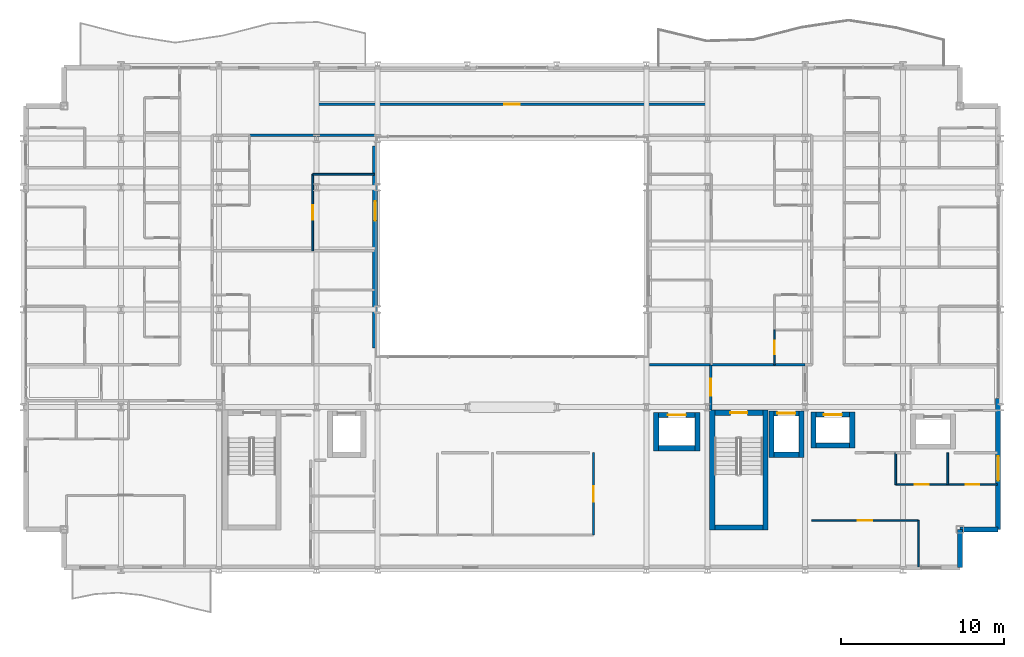
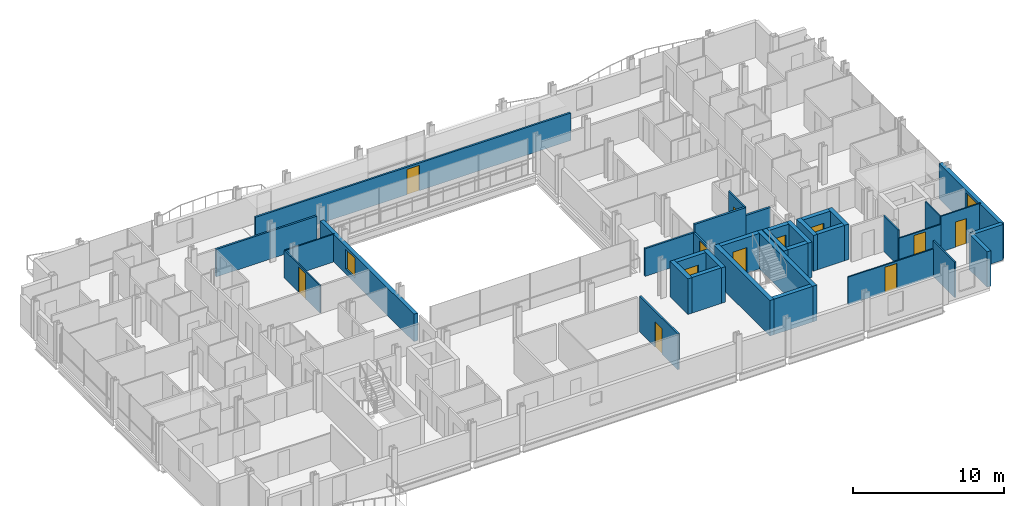
# One storey, part 34 of 40: 36 walls, 12 doors, 2 windows, 14 openings.
"""IFC4 building model written with IfcOpenShell, lengths in metres."""

import ifcopenshell
import ifcopenshell.guid

model = None  # the IFC model being written
_history = None  # IfcOwnerHistory: only IFC2X3 demands one
_inside = {}  # id of a spatial element -> (the spatial element, [elements in it])
_under = {}  # id of a project, library or spatial element -> (it, [spatial elements below it])
_declared = {}  # id of a project -> (the project, [libraries it declares])
_typed = {}  # id of a type object -> (the type object, [elements of that type])
_made_of = {}  # id of a material, layer set ... -> (it, [elements and type objects made of it])


def new_model(schema):
    """Start an empty IFC model of exactly this schema.

    Asked for "IFC4X3", IfcOpenShell would pick the latest addendum, in which some entities
    have other attributes; the version numbers below select the first issue.
    IFC2X3 requires an IfcOwnerHistory on every rooted entity: one is made here for all.
    """
    global model, _history
    if schema == "IFC4X3":
        model = ifcopenshell.file(schema_version=(4, 3, 0, 0))
    else:
        model = ifcopenshell.file(schema=schema)
    _inside.clear()
    _under.clear()
    _declared.clear()
    _typed.clear()
    _made_of.clear()
    _history = None
    if model.schema == "IFC2X3":
        org = make("IfcOrganization", Name="unknown")
        user = make(
            "IfcPersonAndOrganization",
            ThePerson=make("IfcPerson", FamilyName="unknown"),
            TheOrganization=org,
        )
        app = make(
            "IfcApplication",
            ApplicationDeveloper=org,
            Version="unknown",
            ApplicationFullName="unknown",
            ApplicationIdentifier="unknown",
        )
        _history = make(
            "IfcOwnerHistory",
            OwningUser=user,
            OwningApplication=app,
            ChangeAction="ADDED",
            CreationDate=0,
        )
    return model


def make(cls, **values):
    """One entity of the class cls with the attributes given. An attribute that is None is left unset."""
    return model.create_entity(
        cls, **{name: value for name, value in values.items() if value is not None}
    )


def rooted(cls, **values):
    """An entity with a GlobalId (a new one), such as an element, a storey or a relation."""
    return make(cls, GlobalId=ifcopenshell.guid.new(), OwnerHistory=_history, **values)


def si_unit(unit_type, name, prefix=None):
    """IfcSIUnit, for example si_unit("LENGTHUNIT", "METRE", prefix="MILLI")."""
    return make("IfcSIUnit", UnitType=unit_type, Prefix=prefix, Name=name)


def assignment(units):
    """IfcUnitAssignment: the units of a project."""
    return None if units is None else make("IfcUnitAssignment", Units=units)


def point(xyz):
    """IfcCartesianPoint."""
    return None if xyz is None else make("IfcCartesianPoint", Coordinates=xyz)


def direction(xyz):
    """IfcDirection."""
    return None if xyz is None else make("IfcDirection", DirectionRatios=xyz)


def frame(location, z_axis=None, x_axis=None):
    """IfcAxis2Placement3D, a coordinate frame: its origin and axes. An axis left out is left unset."""
    return make(
        "IfcAxis2Placement3D",
        Location=point(location),
        Axis=direction(z_axis),
        RefDirection=direction(x_axis),
    )


def frame_2d(location, x_axis=None):
    """IfcAxis2Placement2D, a coordinate frame in the plane: its origin and x axis."""
    return make(
        "IfcAxis2Placement2D", Location=point(location), RefDirection=direction(x_axis)
    )


def origin():
    """The frame at (0, 0, 0) with its axes left unset."""
    return frame((0.0, 0.0, 0.0))


def place(relative_to, where):
    """IfcLocalPlacement: puts the frame where relative to a parent placement (None: the world)."""
    return make(
        "IfcLocalPlacement", PlacementRelTo=relative_to, RelativePlacement=where
    )


def context(
    kind, dimensions, precision=None, world=None, true_north=None, identifier=None
):
    """IfcGeometricRepresentationContext, for example the 3D "Model" context."""
    return make(
        "IfcGeometricRepresentationContext",
        ContextIdentifier=identifier,
        ContextType=kind,
        CoordinateSpaceDimension=dimensions,
        Precision=precision,
        WorldCoordinateSystem=world,
        TrueNorth=true_north,
    )


def subcontext(parent, identifier, kind, view, scale=None):
    """IfcGeometricRepresentationSubContext, for example "Body" below "Model"."""
    return make(
        "IfcGeometricRepresentationSubContext",
        ContextIdentifier=identifier,
        ContextType=kind,
        ParentContext=parent,
        TargetScale=scale,
        TargetView=view,
    )


def project(units=None, contexts=None):
    """IfcProject with its units and contexts."""
    return rooted(
        "IfcProject",
        Name="project",
        RepresentationContexts=contexts,
        UnitsInContext=assignment(units),
    )


def spatial(cls, under=None, at=None, **own):
    """A site, building, storey or space (cls), placed at a placement, below another one or the project."""
    s = rooted(cls, ObjectPlacement=at, **own)
    if under is not None:
        _under.setdefault(under.id(), (under, []))[1].append(s)
    return s


def profile(cls, at=None, kind="AREA", **sizes):
    """A parametric profile (cls). Its sizes go by their IFC names, for example OverallWidth=200.0."""
    return make(cls, ProfileType=kind, Position=at, **sizes)


def rectangle(**sizes):
    """IfcRectangleProfileDef."""
    return profile("IfcRectangleProfileDef", **sizes)


def extrude(swept, where, along, depth):
    """IfcExtrudedAreaSolid: the profile swept, set in the frame where, extruded along a direction by depth."""
    return make(
        "IfcExtrudedAreaSolid",
        SweptArea=swept,
        Position=where,
        ExtrudedDirection=direction(along),
        Depth=depth,
    )


def shape(context_of_items, identifier, shape_type, items):
    """IfcShapeRepresentation: the items that make up one representation, for example the "Body"."""
    return make(
        "IfcShapeRepresentation",
        ContextOfItems=context_of_items,
        RepresentationIdentifier=identifier,
        RepresentationType=shape_type,
        Items=items,
    )


def material(Name=None, Category=None):
    """IfcMaterial."""
    return make("IfcMaterial", Name=Name, Category=Category)


def layer(
    of_material, thickness, ventilated=None, Name=None, Category=None, Priority=None
):
    """IfcMaterialLayer: one layer of a wall or slab, of a material (None: an air gap)."""
    return make(
        "IfcMaterialLayer",
        Material=of_material,
        LayerThickness=thickness,
        IsVentilated=ventilated,
        Name=Name,
        Category=Category,
        Priority=Priority,
    )


def layer_set(layers, Name=None):
    """IfcMaterialLayerSet."""
    return make("IfcMaterialLayerSet", MaterialLayers=layers, LayerSetName=Name)


def made_of(thing, what):
    """Note that an element or type object is made of a material, layer set ...; save() writes the relation."""
    if what is not None:
        _made_of.setdefault(what.id(), (what, []))[1].append(thing)
    return thing


def type_object(cls, material=None, **own):
    """A type object (cls), such as IfcWallType, which elements share."""
    return made_of(rooted(cls, **own), material)


def element(
    cls,
    number,
    at=None,
    inside=None,
    cuts=None,
    type_object=None,
    material=None,
    context=None,
    identifier="Body",
    shape_type=None,
    held_by="IfcProductDefinitionShape",
    body=None,
    shapes=None,
    **own,
):
    """One element of the class cls, such as IfcWall. Its Tag is "e" and its number.

    at: its placement. inside: the storey or other place that contains it. cuts: it is an
    opening in that element (IfcRelVoidsElement). A single representation is given by context,
    identifier, shape_type and body (its items); several are given by shapes. held_by: the class
    of the entity that holds the representations. save() writes the other relations.
    """
    e = rooted(cls, Tag="e%d" % number, ObjectPlacement=at, **own)
    if body is not None:
        shapes = [shape(context, identifier, shape_type, body)]
    if shapes is not None:
        e.Representation = make(held_by, Representations=shapes)
    if inside is not None:
        _inside.setdefault(inside.id(), (inside, []))[1].append(e)
    if cuts is not None:
        rooted(
            "IfcRelVoidsElement", RelatingBuildingElement=cuts, RelatedOpeningElement=e
        )
    if type_object is not None:
        _typed.setdefault(type_object.id(), (type_object, []))[1].append(e)
    return made_of(e, material)


def fill(opening, filler):
    """IfcRelFillsElement: the door or window that sits in an opening."""
    return rooted(
        "IfcRelFillsElement",
        RelatingOpeningElement=opening,
        RelatedBuildingElement=filler,
    )


def aggregate(whole, parts):
    """IfcRelAggregates: a whole, such as a stair, and the parts it consists of."""
    return rooted("IfcRelAggregates", RelatingObject=whole, RelatedObjects=parts)


def save(model, path):
    """Write the relations noted so far, then the file.

    IfcRelAggregates (storeys below a building ...), IfcRelContainedInSpatialStructure (elements
    in a storey), IfcRelDefinesByType, IfcRelAssociatesMaterial and IfcRelDeclares: one each for
    every whole, place, type object, material and project.
    """
    for whole, parts in _under.values():
        aggregate(whole, parts)
    for where, things in _inside.values():
        rooted(
            "IfcRelContainedInSpatialStructure",
            RelatedElements=things,
            RelatingStructure=where,
        )
    for kind, things in _typed.values():
        rooted("IfcRelDefinesByType", RelatedObjects=things, RelatingType=kind)
    for what, things in _made_of.values():
        rooted("IfcRelAssociatesMaterial", RelatedObjects=things, RelatingMaterial=what)
    for by, libraries in _declared.values():
        rooted("IfcRelDeclares", RelatingContext=by, RelatedDefinitions=libraries)
    model.write(path)


model = new_model("IFC4")

# Units and contexts
model_context = context("Model", 3, precision=1e-05, world=origin(), true_north=direction((0.0, 1.0)))
body_context = subcontext(model_context, "Body", "Model", "MODEL_VIEW")
ifc_project = project(units=[si_unit("LENGTHUNIT", "METRE"), si_unit("AREAUNIT", "SQUARE_METRE"), si_unit("VOLUMEUNIT", "CUBIC_METRE"), si_unit("PLANEANGLEUNIT", "RADIAN"), si_unit("MASSUNIT", "GRAM", prefix="KILO")], contexts=[model_context])

# Site, building, storey
site_placement = place(None, origin())
site = spatial("IfcSite", under=ifc_project, at=site_placement, CompositionType="ELEMENT")
building_placement = place(site_placement, origin())
building = spatial("IfcBuilding", under=site, at=building_placement, Name="Brevholm Reach", CompositionType="ELEMENT")
storey_placement = place(building_placement, frame((0.0, 0.0, 31.10009765625)))
storey = spatial("IfcBuildingStorey", under=building, at=storey_placement, Name="L07", CompositionType="ELEMENT", Elevation=31.10009765625)

# Walls
ifc_material_1 = material(Name="Concrete C60/75", Category="concrete")
ifc_layer_1 = layer(ifc_material_1, 0.320068359375)
ifc_layer_set_1 = layer_set([ifc_layer_1], Name="Concrete C60/75")
wall_type_1 = type_object("IfcWallType", Name="WAL-COR-320", PredefinedType="SHEAR", material=ifc_layer_set_1)
for number, where, z_axis, x_axis, name in (
    (1, (42.2900390625, 2.4599609375, 0.0), (0.0, 0.0, 1.0), (0.0, 1.0, 0.0), "L07 Escape Stair ST-2 Core Wall W"),
    (2, (45.56005859375, 2.4599609375, 0.0), (0.0, 0.0, 1.0), (0.0, 1.0, 0.0), "L07 Escape Stair ST-2 Core Wall E"),
):
    element("IfcWall", number, at=place(storey_placement, frame(where, z_axis=z_axis, x_axis=x_axis)), inside=storey, type_object=wall_type_1, Name=name, PredefinedType="SHEAR", context=body_context, shape_type="SweptSolid", body=[
        extrude(rectangle(XDim=7.360107421875, YDim=0.320068359375, at=frame_2d((3.68017578125, 0.0))), origin(), (0.0, 0.0, 1.0), 2.869873046875),
    ])
wall_1_placement = place(storey_placement, frame((42.449951171875, 2.6201171875, 0.0), z_axis=(0.0, 0.0, 1.0), x_axis=(1.0, 0.0, 0.0)))
element("IfcWall", 3, at=wall_1_placement, inside=storey, type_object=wall_type_1, Name="L07 Escape Stair ST-2 Core Wall S", PredefinedType="SHEAR", context=body_context, shape_type="SweptSolid", body=[
    extrude(rectangle(XDim=2.949951171875, YDim=0.320068359375, at=frame_2d((1.47509765625, 0.0))), origin(), (0.0, 0.0, 1.0), 2.869873046875),
])

# Wall, opening, door
wall_2_placement = place(storey_placement, frame((45.39990234375, 9.659912109375, 0.0), z_axis=(0.0, 0.0, 1.0), x_axis=(-1.0, 0.0, 0.0)))
wall_2 = element("IfcWall", 4, at=wall_2_placement, inside=storey, type_object=wall_type_1, Name="L07 Escape Stair ST-2 Core Wall N", PredefinedType="SHEAR", context=body_context, shape_type="SweptSolid", body=[
    extrude(rectangle(XDim=2.949951171875, YDim=0.320068359375, at=frame_2d((1.47509765625, 0.0))), origin(), (0.0, 0.0, 1.0), 2.869873046875),
])
opening_1_placement = place(wall_2_placement, frame((0.949951171875, 0.0, 0.0)))
opening_1 = element("IfcOpeningElement", 5, at=opening_1_placement, cuts=wall_2, Name="Opening SD-ST-2", PredefinedType="OPENING", context=body_context, shape_type="SweptSolid", body=[
    extrude(rectangle(XDim=1.050048828125, YDim=2.06005859375, at=frame_2d((0.52490234375, 1.030029296875))), frame((0.0, 0.169921875, 0.0), z_axis=(0.0, -1.0, 0.0), x_axis=(1.0, 0.0, 0.0)), (0.0, 0.0, 1.0), 0.340087890625),
])
ifc_material_2 = material(Name="Hardwood-Lipped Steel-Core Fire and Smoke Door", Category="steel")
door_type_1 = type_object("IfcDoorType", Name="DOR-INT-FD60S", OperationType="NOTDEFINED", PredefinedType="DOOR", material=ifc_material_2)
door_1_placement = place(opening_1_placement, origin())
door_1 = element("IfcDoor", 6, at=door_1_placement, inside=storey, type_object=door_type_1, Name="L07 Protected Stair ST-2 Lobby Door", OperationType="SINGLE_SWING_RIGHT", OverallHeight=2.06005859375, OverallWidth=1.050048828125, PredefinedType="DOOR", context=body_context, shape_type="SweptSolid", body=[
    extrude(rectangle(XDim=1.050048828125, YDim=2.06005859375, at=frame_2d((0.52490234375, 1.030029296875))), frame((0.0, 0.02490234375, 0.0), z_axis=(0.0, -1.0, 0.0), x_axis=(1.0, 0.0, 0.0)), (0.0, 0.0, 1.0), 0.050048828125),
])
fill(opening_1, door_1)

# Walls
for number, where, z_axis, x_axis, name in (
    (7, (45.929931640625, 6.919921875, 0.0), (0.0, 0.0, 1.0), (0.0, 1.0, 0.0), "L07 Lift FFL-2 Shaft Wall W"),
    (8, (47.77001953125, 6.919921875, 0.0), (0.0, 0.0, 1.0), (0.0, 1.0, 0.0), "L07 Lift FFL-2 Shaft Wall E"),
):
    element("IfcWall", number, at=place(storey_placement, frame(where, z_axis=z_axis, x_axis=x_axis)), inside=storey, type_object=wall_type_1, Name=name, PredefinedType="SHEAR", context=body_context, shape_type="SweptSolid", body=[
        extrude(rectangle(XDim=2.860107421875, YDim=0.320068359375, at=frame_2d((1.43017578125, 0.0))), origin(), (0.0, 0.0, 1.0), 2.869873046875),
    ])
wall_3_placement = place(storey_placement, frame((46.090087890625, 7.080078125, 0.0), z_axis=(0.0, 0.0, 1.0), x_axis=(1.0, 0.0, 0.0)))
element("IfcWall", 9, at=wall_3_placement, inside=storey, type_object=wall_type_1, Name="L07 Lift FFL-2 Shaft Wall S", PredefinedType="SHEAR", context=body_context, shape_type="SweptSolid", body=[
    extrude(rectangle(XDim=1.52001953125, YDim=0.320068359375, at=frame_2d((0.760009765625, 0.0))), origin(), (0.0, 0.0, 1.0), 2.869873046875),
])

# Wall, opening, door
wall_4_placement = place(storey_placement, frame((46.090087890625, 9.6201171875, 0.0), z_axis=(0.0, 0.0, 1.0), x_axis=(1.0, 0.0, 0.0)))
wall_4 = element("IfcWall", 10, at=wall_4_placement, inside=storey, type_object=wall_type_1, Name="L07 Lift FFL-2 Shaft Wall N", PredefinedType="SHEAR", context=body_context, shape_type="SweptSolid", body=[
    extrude(rectangle(XDim=1.52001953125, YDim=0.320068359375, at=frame_2d((0.760009765625, 0.0))), origin(), (0.0, 0.0, 1.0), 2.869873046875),
])
opening_2_placement = place(wall_4_placement, frame((0.2099609375, 0.0, 0.0)))
opening_2 = element("IfcOpeningElement", 11, at=opening_2_placement, cuts=wall_4, Name="Opening LD-FFL-2", PredefinedType="OPENING", context=body_context, shape_type="SweptSolid", body=[
    extrude(rectangle(XDim=1.10009765625, YDim=2.06005859375, at=frame_2d((0.550048828125, 1.030029296875))), frame((0.0, 0.169921875, 0.0), z_axis=(0.0, -1.0, 0.0), x_axis=(1.0, 0.0, 0.0)), (0.0, 0.0, 1.0), 0.340087890625),
])
ifc_material_3 = material(Name="Brushed Stainless Steel Fire-Rated Sliding Lift Door", Category="steel")
door_type_2 = type_object("IfcDoorType", Name="DOR-LFT-1100", OperationType="NOTDEFINED", PredefinedType="DOOR", material=ifc_material_3)
door_2_placement = place(opening_2_placement, origin())
door_2 = element("IfcDoor", 12, at=door_2_placement, inside=storey, type_object=door_type_2, Name="L07 Lift FFL-2 Sliding Landing Door", OperationType="SLIDING_TO_RIGHT", OverallHeight=2.06005859375, OverallWidth=1.10009765625, PredefinedType="DOOR", context=body_context, shape_type="SweptSolid", body=[
    extrude(rectangle(XDim=1.10009765625, YDim=2.06005859375, at=frame_2d((0.550048828125, 1.030029296875))), frame((0.0, 0.02490234375, 0.0), z_axis=(0.0, -1.0, 0.0), x_axis=(1.0, 0.0, 0.0)), (0.0, 0.0, 1.0), 0.050048828125),
])
fill(opening_2, door_2)

# Walls
for number, where, z_axis, x_axis, name in (
    (13, (48.5048828125, 7.4951171875, 0.0), (0.0, 0.0, 1.0), (0.0, 1.0, 0.0), "L07 Lift PL-L1 Shaft Wall W"),
    (14, (50.89501953125, 7.4951171875, 0.0), (0.0, 0.0, 1.0), (0.0, 1.0, 0.0), "L07 Lift PL-L1 Shaft Wall E"),
):
    element("IfcWall", number, at=place(storey_placement, frame(where, z_axis=z_axis, x_axis=x_axis)), inside=storey, type_object=wall_type_1, Name=name, PredefinedType="SHEAR", context=body_context, shape_type="SweptSolid", body=[
        extrude(rectangle(XDim=2.2099609375, YDim=0.320068359375, at=frame_2d((1.10498046875, 0.0))), origin(), (0.0, 0.0, 1.0), 2.869873046875),
    ])
wall_5_placement = place(storey_placement, frame((48.6650390625, 7.655029296875, 0.0), z_axis=(0.0, 0.0, 1.0), x_axis=(1.0, 0.0, 0.0)))
element("IfcWall", 15, at=wall_5_placement, inside=storey, type_object=wall_type_1, Name="L07 Lift PL-L1 Shaft Wall S", PredefinedType="SHEAR", context=body_context, shape_type="SweptSolid", body=[
    extrude(rectangle(XDim=2.070068359375, YDim=0.320068359375, at=frame_2d((1.03515625, 0.0))), origin(), (0.0, 0.0, 1.0), 2.869873046875),
])

# Wall, opening, door
wall_6_placement = place(storey_placement, frame((48.6650390625, 9.544921875, 0.0), z_axis=(0.0, 0.0, 1.0), x_axis=(1.0, 0.0, 0.0)))
wall_6 = element("IfcWall", 16, at=wall_6_placement, inside=storey, type_object=wall_type_1, Name="L07 Lift PL-L1 Shaft Wall N", PredefinedType="SHEAR", context=body_context, shape_type="SweptSolid", body=[
    extrude(rectangle(XDim=2.070068359375, YDim=0.320068359375, at=frame_2d((1.03515625, 0.0))), origin(), (0.0, 0.0, 1.0), 2.869873046875),
])
opening_3_placement = place(wall_6_placement, frame((0.485107421875, 0.0, 0.0)))
opening_3 = element("IfcOpeningElement", 17, at=opening_3_placement, cuts=wall_6, Name="Opening LD-PL-L1", PredefinedType="OPENING", context=body_context, shape_type="SweptSolid", body=[
    extrude(rectangle(XDim=1.10009765625, YDim=2.06005859375, at=frame_2d((0.550048828125, 1.030029296875))), frame((0.0, 0.169921875, 0.0), z_axis=(0.0, -1.0, 0.0), x_axis=(1.0, 0.0, 0.0)), (0.0, 0.0, 1.0), 0.340087890625),
])
door_3_placement = place(opening_3_placement, origin())
door_3 = element("IfcDoor", 18, at=door_3_placement, inside=storey, type_object=door_type_2, Name="L07 Lift PL-L1 Sliding Landing Door", OperationType="SLIDING_TO_LEFT", OverallHeight=2.06005859375, OverallWidth=1.10009765625, PredefinedType="DOOR", context=body_context, shape_type="SweptSolid", body=[
    extrude(rectangle(XDim=1.10009765625, YDim=2.06005859375, at=frame_2d((0.550048828125, 1.030029296875))), frame((0.0, 0.02490234375, 0.0), z_axis=(0.0, -1.0, 0.0), x_axis=(1.0, 0.0, 0.0)), (0.0, 0.0, 1.0), 0.050048828125),
])
fill(opening_3, door_3)

# Walls
for number, where, z_axis, x_axis, name in (
    (19, (38.85009765625, 7.320068359375, 0.0), (0.0, 0.0, 1.0), (0.0, 1.0, 0.0), "L07 Lift PL-S1 Shaft Wall W"),
    (20, (41.389892578125, 7.320068359375, 0.0), (0.0, 0.0, 1.0), (0.0, 1.0, 0.0), "L07 Lift PL-S1 Shaft Wall E"),
):
    element("IfcWall", number, at=place(storey_placement, frame(where, z_axis=z_axis, x_axis=x_axis)), inside=storey, type_object=wall_type_1, Name=name, PredefinedType="SHEAR", context=body_context, shape_type="SweptSolid", body=[
        extrude(rectangle(XDim=2.35986328125, YDim=0.320068359375, at=frame_2d((1.179931640625, 0.0))), origin(), (0.0, 0.0, 1.0), 2.869873046875),
    ])
wall_7_placement = place(storey_placement, frame((39.010009765625, 7.47998046875, 0.0), z_axis=(0.0, 0.0, 1.0), x_axis=(1.0, 0.0, 0.0)))
element("IfcWall", 21, at=wall_7_placement, inside=storey, type_object=wall_type_1, Name="L07 Lift PL-S1 Shaft Wall S", PredefinedType="SHEAR", context=body_context, shape_type="SweptSolid", body=[
    extrude(rectangle(XDim=2.219970703125, YDim=0.320068359375, at=frame_2d((1.10986328125, 0.0))), origin(), (0.0, 0.0, 1.0), 2.869873046875),
])

# Wall, opening, door
wall_8_placement = place(storey_placement, frame((39.010009765625, 9.52001953125, 0.0), z_axis=(0.0, 0.0, 1.0), x_axis=(1.0, 0.0, 0.0)))
wall_8 = element("IfcWall", 22, at=wall_8_placement, inside=storey, type_object=wall_type_1, Name="L07 Lift PL-S1 Shaft Wall N", PredefinedType="SHEAR", context=body_context, shape_type="SweptSolid", body=[
    extrude(rectangle(XDim=2.219970703125, YDim=0.320068359375, at=frame_2d((1.10986328125, 0.0))), origin(), (0.0, 0.0, 1.0), 2.869873046875),
])
opening_4_placement = place(wall_8_placement, frame((0.56005859375, 0.0, 0.0)))
opening_4 = element("IfcOpeningElement", 23, at=opening_4_placement, cuts=wall_8, Name="Opening LD-PL-S1", PredefinedType="OPENING", context=body_context, shape_type="SweptSolid", body=[
    extrude(rectangle(XDim=1.10009765625, YDim=2.06005859375, at=frame_2d((0.550048828125, 1.030029296875))), frame((0.0, 0.169921875, 0.0), z_axis=(0.0, -1.0, 0.0), x_axis=(1.0, 0.0, 0.0)), (0.0, 0.0, 1.0), 0.340087890625),
])
door_4_placement = place(opening_4_placement, origin())
door_4 = element("IfcDoor", 24, at=door_4_placement, inside=storey, type_object=door_type_2, Name="L07 Lift PL-S1 Sliding Landing Door", OperationType="SLIDING_TO_LEFT", OverallHeight=2.06005859375, OverallWidth=1.10009765625, PredefinedType="DOOR", context=body_context, shape_type="SweptSolid", body=[
    extrude(rectangle(XDim=1.10009765625, YDim=2.06005859375, at=frame_2d((0.550048828125, 1.030029296875))), frame((0.0, 0.02490234375, 0.0), z_axis=(0.0, -1.0, 0.0), x_axis=(1.0, 0.0, 0.0)), (0.0, 0.0, 1.0), 0.050048828125),
])
fill(opening_4, door_4)

# Walls
ifc_material_4 = material(Name="Concrete C40/50", Category="concrete")
ifc_layer_2 = layer(ifc_material_4, 0.300048828125)
ifc_layer_set_2 = layer_set([ifc_layer_2], Name="Concrete C40/50")
wall_type_2 = type_object("IfcWallType", Name="WAL-EXT-300", PredefinedType="STANDARD", material=ifc_layer_set_2)
for number, where, z_axis, x_axis, name in (
    (25, (57.5, 0.14990234375, 0.0), (0.0, 0.0, 1.0), (0.0, 1.0, 0.0), "L07 Facade Wall WAL-L07-CSE1"),
    (26, (57.5, 2.5, 0.0), (0.0, 0.0, 1.0), (1.0, 0.0, 0.0), "L07 Facade Wall WAL-L07-CSE2"),
):
    element("IfcWall", number, at=place(storey_placement, frame(where, z_axis=z_axis, x_axis=x_axis)), inside=storey, type_object=wall_type_2, Name=name, PredefinedType="STANDARD", context=body_context, shape_type="SweptSolid", body=[
        extrude(rectangle(XDim=2.35009765625, YDim=0.300048828125, at=frame_2d((1.175048828125, 0.0))), origin(), (0.0, 0.0, 1.0), 2.869873046875),
    ])

# Wall, opening, window
wall_9_placement = place(storey_placement, frame((59.85009765625, 2.5, 0.0), z_axis=(0.0, 0.0, 1.0), x_axis=(0.0, 1.0, 0.0)))
wall_9 = element("IfcWall", 27, at=wall_9_placement, inside=storey, type_object=wall_type_2, Name="L07 Facade Wall WAL-L07-E-S", PredefinedType="STANDARD", context=body_context, shape_type="SweptSolid", body=[
    extrude(rectangle(XDim=8.050048828125, YDim=0.300048828125, at=frame_2d((4.02490234375, 0.0))), origin(), (0.0, 0.0, 1.0), 2.869873046875),
])
opening_5_placement = place(wall_9_placement, frame((3.0, 0.0, 0.85009765625)))
opening_5 = element("IfcOpeningElement", 28, at=opening_5_placement, cuts=wall_9, Name="Opening WN-05", PredefinedType="OPENING", context=body_context, shape_type="SweptSolid", body=[
    extrude(rectangle(XDim=1.5, YDim=1.800048828125, at=frame_2d((0.75, 0.89990234375))), frame((0.0, 0.159912109375, 0.0), z_axis=(0.0, -1.0, 0.0), x_axis=(1.0, 0.0, 0.0)), (0.0, 0.0, 1.0), 0.320068359375),
])
ifc_material_5 = material(Name="Dark Anodised Aluminium and Solar-Control IGU Glass", Category="aluminium")
window_type_1 = type_object("IfcWindowType", Name="WIN-RES-1500", PartitioningType="SINGLE_PANEL", PredefinedType="WINDOW", material=ifc_material_5)
window_1_placement = place(opening_5_placement, origin())
window_1 = element("IfcWindow", 29, at=window_1_placement, inside=storey, type_object=window_type_1, Name="L07 Window WIN-L07-ES-1", OverallHeight=1.800048828125, OverallWidth=1.5, PartitioningType="SINGLE_PANEL", PredefinedType="WINDOW", context=body_context, shape_type="SweptSolid", body=[
    extrude(rectangle(XDim=1.5, YDim=1.800048828125, at=frame_2d((0.75, 0.89990234375))), frame((0.0, 0.030029296875, 0.0), z_axis=(0.0, -1.0, 0.0), x_axis=(1.0, 0.0, 0.0)), (0.0, 0.0, 1.0), 0.06005859375),
])
fill(opening_5, window_1)

wall_10_placement = place(storey_placement, frame((21.60009765625, 26.050048828125, 0.0), z_axis=(0.0, 0.0, 1.0), x_axis=(0.0, -1.0, 0.0)))
wall_10 = element("IfcWall", 30, at=wall_10_placement, inside=storey, type_object=wall_type_2, Name="L07 Facade Wall WAL-L07-AT-W", PredefinedType="STANDARD", context=body_context, shape_type="SweptSolid", body=[
    extrude(rectangle(XDim=12.400146484375, YDim=0.300048828125, at=frame_2d((6.2001953125, 0.0))), origin(), (0.0, 0.0, 1.0), 2.224609375),
])
opening_6_placement = place(wall_10_placement, frame((3.39990234375, 0.0, 0.405029296875)))
opening_6 = element("IfcOpeningElement", 31, at=opening_6_placement, cuts=wall_10, Name="Opening WN-08", PredefinedType="OPENING", context=body_context, shape_type="SweptSolid", body=[
    extrude(rectangle(XDim=1.199951171875, YDim=1.60009765625, at=frame_2d((0.60009765625, 0.800048828125))), frame((0.0, 0.159912109375, 0.0), z_axis=(0.0, -1.0, 0.0), x_axis=(1.0, 0.0, 0.0)), (0.0, 0.0, 1.0), 0.320068359375),
])
ifc_material_6 = material(Name="Dark Anodised Aluminium and Solar-Control IGU Glass", Category="aluminium")
window_type_2 = type_object("IfcWindowType", Name="WIN-RES-1200", PartitioningType="SINGLE_PANEL", PredefinedType="WINDOW", material=ifc_material_6)
window_2_placement = place(opening_6_placement, origin())
window_2 = element("IfcWindow", 32, at=window_2_placement, inside=storey, type_object=window_type_2, Name="L07 Window WIN-L07-AT-W1", OverallHeight=1.60009765625, OverallWidth=1.199951171875, PartitioningType="SINGLE_PANEL", PredefinedType="WINDOW", context=body_context, shape_type="SweptSolid", body=[
    extrude(rectangle(XDim=1.199951171875, YDim=1.60009765625, at=frame_2d((0.60009765625, 0.800048828125))), frame((0.0, 0.030029296875, 0.0), z_axis=(0.0, -1.0, 0.0), x_axis=(1.0, 0.0, 0.0)), (0.0, 0.0, 1.0), 0.06005859375),
])
fill(opening_6, window_2)

# Wall
ifc_material_7 = material(Name="Moisture-Resistant Acoustic Gypsum Stud Partition 100 mm", Category="gypsum")
ifc_layer_3 = layer(ifc_material_7, 0.10009765625)
ifc_layer_set_3 = layer_set([ifc_layer_3], Name="Moisture-Resistant Acoustic Gypsum Stud Partition 100 mm")
wall_type_3 = type_object("IfcWallType", Name="WAL-PRT-100", PredefinedType="PARTITIONING", material=ifc_layer_set_3)
wall_11_placement = place(storey_placement, frame((56.75, 5.25, 0.0), z_axis=(0.0, 0.0, 1.0), x_axis=(0.0, 1.0, 0.0)))
element("IfcWall", 33, at=wall_11_placement, inside=storey, type_object=wall_type_3, Name="L07 Internal Partition 085", PredefinedType="PARTITIONING", context=body_context, shape_type="SweptSolid", body=[
    extrude(rectangle(XDim=1.949951171875, YDim=0.10009765625, at=frame_2d((0.97509765625, 0.0))), origin(), (0.0, 0.0, 1.0), 2.869873046875),
])

# Wall, opening, door
wall_12_placement = place(storey_placement, frame((56.75, 5.25, 0.0), z_axis=(0.0, 0.0, 1.0), x_axis=(1.0, 0.0, 0.0)))
wall_12 = element("IfcWall", 34, at=wall_12_placement, inside=storey, type_object=wall_type_3, Name="L07 Internal Partition 086", PredefinedType="PARTITIONING", context=body_context, shape_type="SweptSolid", body=[
    extrude(rectangle(XDim=3.050048828125, YDim=0.10009765625, at=frame_2d((1.52490234375, 0.0))), origin(), (0.0, 0.0, 1.0), 2.869873046875),
])
opening_7_placement = place(wall_12_placement, frame((1.114990234375, 0.0, 0.0)))
opening_7 = element("IfcOpeningElement", 35, at=opening_7_placement, cuts=wall_12, Name="Opening ID-03", PredefinedType="OPENING", context=body_context, shape_type="SweptSolid", body=[
    extrude(rectangle(XDim=0.820068359375, YDim=2.02001953125, at=frame_2d((0.41015625, 1.010009765625))), frame((0.0, 0.06005859375, 0.0), z_axis=(0.0, -1.0, 0.0), x_axis=(1.0, 0.0, 0.0)), (0.0, 0.0, 1.0), 0.1201171875),
])
ifc_material_8 = material(Name="Moisture-Resistant Painted Timber Internal Bathroom Door", Category="wood")
door_type_3 = type_object("IfcDoorType", Name="DOR-BATH-820", OperationType="NOTDEFINED", PredefinedType="DOOR", material=ifc_material_8)
door_5_placement = place(opening_7_placement, origin())
door_5 = element("IfcDoor", 36, at=door_5_placement, inside=storey, type_object=door_type_3, Name="L07 Internal Door 030", OperationType="SINGLE_SWING_LEFT", OverallHeight=2.02001953125, OverallWidth=0.820068359375, PredefinedType="DOOR", context=body_context, shape_type="SweptSolid", body=[
    extrude(rectangle(XDim=0.820068359375, YDim=2.02001953125, at=frame_2d((0.41015625, 1.010009765625))), frame((0.0, 0.02490234375, 0.0), z_axis=(0.0, -1.0, 0.0), x_axis=(1.0, 0.0, 0.0)), (0.0, 0.0, 1.0), 0.050048828125),
])
fill(opening_7, door_5)

wall_13_placement = place(storey_placement, frame((53.55810546875, 5.25, 0.0), z_axis=(0.0, 0.0, 1.0), x_axis=(1.0, 0.0, 0.0)))
wall_13 = element("IfcWall", 37, at=wall_13_placement, inside=storey, type_object=wall_type_3, Name="L07 Internal Partition 087", PredefinedType="PARTITIONING", context=body_context, shape_type="SweptSolid", body=[
    extrude(rectangle(XDim=3.18798828125, YDim=0.10009765625, at=frame_2d((1.593994140625, 0.0))), origin(), (0.0, 0.0, 1.0), 2.224609375),
])
opening_8_placement = place(wall_13_placement, frame((1.154052734375, 0.0, 0.0)))
opening_8 = element("IfcOpeningElement", 38, at=opening_8_placement, cuts=wall_13, Name="Opening ID-01", PredefinedType="OPENING", context=body_context, shape_type="SweptSolid", body=[
    extrude(rectangle(XDim=0.8798828125, YDim=2.0400390625, at=frame_2d((0.43994140625, 1.02001953125))), frame((0.0, 0.06005859375, 0.0), z_axis=(0.0, -1.0, 0.0), x_axis=(1.0, 0.0, 0.0)), (0.0, 0.0, 1.0), 0.1201171875),
])
ifc_material_9 = material(Name="Lacquered Ash Solid-Core Acoustic Internal Door", Category="timber")
door_type_4 = type_object("IfcDoorType", Name="DOR-INT-880", OperationType="NOTDEFINED", PredefinedType="DOOR", material=ifc_material_9)
door_6_placement = place(opening_8_placement, origin())
door_6 = element("IfcDoor", 39, at=door_6_placement, inside=storey, type_object=door_type_4, Name="L07 Internal Door 031", OperationType="SINGLE_SWING_RIGHT", OverallHeight=2.0400390625, OverallWidth=0.8798828125, PredefinedType="DOOR", context=body_context, shape_type="SweptSolid", body=[
    extrude(rectangle(XDim=0.8798828125, YDim=2.0400390625, at=frame_2d((0.43994140625, 1.02001953125))), frame((0.0, 0.02490234375, 0.0), z_axis=(0.0, -1.0, 0.0), x_axis=(1.0, 0.0, 0.0)), (0.0, 0.0, 1.0), 0.050048828125),
])
fill(opening_8, door_6)

# Walls
wall_14_placement = place(storey_placement, frame((53.55810546875, 5.25, 0.0), z_axis=(0.0, 0.0, 1.0), x_axis=(0.0, 1.0, 0.0)))
element("IfcWall", 40, at=wall_14_placement, inside=storey, type_object=wall_type_3, Name="L07 Internal Partition 088", PredefinedType="PARTITIONING", context=body_context, shape_type="SweptSolid", body=[
    extrude(rectangle(XDim=1.946044921875, YDim=0.10009765625, at=frame_2d((0.97314453125, 0.0))), origin(), (0.0, 0.0, 1.0), 2.869873046875),
])
wall_15_placement = place(storey_placement, frame((54.949951171875, 0.199951171875, 0.0), z_axis=(0.0, 0.0, 1.0), x_axis=(0.0, 1.0, 0.0)))
element("IfcWall", 41, at=wall_15_placement, inside=storey, type_object=wall_type_3, Name="L07 Internal Partition 089", PredefinedType="PARTITIONING", context=body_context, shape_type="SweptSolid", body=[
    extrude(rectangle(XDim=2.85009765625, YDim=0.10009765625, at=frame_2d((1.425048828125, 0.0))), origin(), (0.0, 0.0, 1.0), 2.869873046875),
])

# Wall, opening, door
wall_16_placement = place(storey_placement, frame((48.39990234375, 3.050048828125, 0.0), z_axis=(0.0, 0.0, 1.0), x_axis=(1.0, 0.0, 0.0)))
wall_16 = element("IfcWall", 42, at=wall_16_placement, inside=storey, type_object=wall_type_3, Name="L07 Internal Partition 090", PredefinedType="PARTITIONING", context=body_context, shape_type="SweptSolid", body=[
    extrude(rectangle(XDim=6.550048828125, YDim=0.10009765625, at=frame_2d((3.27490234375, 0.0))), origin(), (0.0, 0.0, 1.0), 2.224609375),
])
opening_9_placement = place(wall_16_placement, frame((2.8349609375, 0.0, 0.0)))
opening_9 = element("IfcOpeningElement", 43, at=opening_9_placement, cuts=wall_16, Name="Opening ID-01", PredefinedType="OPENING", context=body_context, shape_type="SweptSolid", body=[
    extrude(rectangle(XDim=0.8798828125, YDim=2.0400390625, at=frame_2d((0.43994140625, 1.02001953125))), frame((0.0, 0.06005859375, 0.0), z_axis=(0.0, -1.0, 0.0), x_axis=(1.0, 0.0, 0.0)), (0.0, 0.0, 1.0), 0.1201171875),
])
door_7_placement = place(opening_9_placement, origin())
door_7 = element("IfcDoor", 44, at=door_7_placement, inside=storey, type_object=door_type_4, Name="L07 Internal Door 032", OperationType="SINGLE_SWING_LEFT", OverallHeight=2.0400390625, OverallWidth=0.8798828125, PredefinedType="DOOR", context=body_context, shape_type="SweptSolid", body=[
    extrude(rectangle(XDim=0.8798828125, YDim=2.0400390625, at=frame_2d((0.43994140625, 1.02001953125))), frame((0.0, 0.02490234375, 0.0), z_axis=(0.0, -1.0, 0.0), x_axis=(1.0, 0.0, 0.0)), (0.0, 0.0, 1.0), 0.050048828125),
])
fill(opening_9, door_7)

# Wall
wall_17_placement = place(storey_placement, frame((17.76904296875, 24.300048828125, 0.0), z_axis=(0.0, 0.0, 1.0), x_axis=(1.0, 0.0, 0.0)))
element("IfcWall", 45, at=wall_17_placement, inside=storey, type_object=wall_type_3, Name="L07 Internal Partition 127", PredefinedType="PARTITIONING", context=body_context, shape_type="SweptSolid", body=[
    extrude(rectangle(XDim=3.781005859375, YDim=0.10009765625, at=frame_2d((1.890625, 0.0))), origin(), (0.0, 0.0, 1.0), 2.224609375),
])

# Wall, opening, door
wall_18_placement = place(storey_placement, frame((17.76904296875, 19.60400390625, 0.0), z_axis=(0.0, 0.0, 1.0), x_axis=(0.0, 1.0, 0.0)))
wall_18 = element("IfcWall", 46, at=wall_18_placement, inside=storey, type_object=wall_type_3, Name="L07 Internal Partition 128", PredefinedType="PARTITIONING", context=body_context, shape_type="SweptSolid", body=[
    extrude(rectangle(XDim=4.696044921875, YDim=0.10009765625, at=frame_2d((2.34814453125, 0.0))), origin(), (0.0, 0.0, 1.0), 2.224609375),
])
opening_10_placement = place(wall_18_placement, frame((1.907958984375, 0.0, 0.0)))
opening_10 = element("IfcOpeningElement", 47, at=opening_10_placement, cuts=wall_18, Name="Opening ID-01", PredefinedType="OPENING", context=body_context, shape_type="SweptSolid", body=[
    extrude(rectangle(XDim=0.8798828125, YDim=2.0400390625, at=frame_2d((0.43994140625, 1.02001953125))), frame((0.0, 0.06005859375, 0.0), z_axis=(0.0, -1.0, 0.0), x_axis=(1.0, 0.0, 0.0)), (0.0, 0.0, 1.0), 0.1201171875),
])
door_8_placement = place(opening_10_placement, origin())
door_8 = element("IfcDoor", 48, at=door_8_placement, inside=storey, type_object=door_type_4, Name="L07 Internal Door 047", OperationType="SINGLE_SWING_RIGHT", OverallHeight=2.0400390625, OverallWidth=0.8798828125, PredefinedType="DOOR", context=body_context, shape_type="SweptSolid", body=[
    extrude(rectangle(XDim=0.8798828125, YDim=2.0400390625, at=frame_2d((0.43994140625, 1.02001953125))), frame((0.0, 0.02490234375, 0.0), z_axis=(0.0, -1.0, 0.0), x_axis=(1.0, 0.0, 0.0)), (0.0, 0.0, 1.0), 0.050048828125),
])
fill(opening_10, door_8)

wall_19_placement = place(storey_placement, frame((46.112060546875, 12.60400390625, 0.0), z_axis=(0.0, 0.0, 1.0), x_axis=(0.0, 1.0, 0.0)))
wall_19 = element("IfcWall", 49, at=wall_19_placement, inside=storey, type_object=wall_type_3, Name="L07 Internal Partition 130", PredefinedType="PARTITIONING", context=body_context, shape_type="SweptSolid", body=[
    extrude(rectangle(XDim=2.14599609375, YDim=0.10009765625, at=frame_2d((1.072998046875, 0.0))), origin(), (0.0, 0.0, 1.0), 2.869873046875),
])
opening_11_placement = place(wall_19_placement, frame((0.6630859375, 0.0, 0.0)))
opening_11 = element("IfcOpeningElement", 50, at=opening_11_placement, cuts=wall_19, Name="Opening ID-03", PredefinedType="OPENING", context=body_context, shape_type="SweptSolid", body=[
    extrude(rectangle(XDim=0.820068359375, YDim=2.02001953125, at=frame_2d((0.41015625, 1.010009765625))), frame((0.0, 0.06005859375, 0.0), z_axis=(0.0, -1.0, 0.0), x_axis=(1.0, 0.0, 0.0)), (0.0, 0.0, 1.0), 0.1201171875),
])
door_9_placement = place(opening_11_placement, origin())
door_9 = element("IfcDoor", 51, at=door_9_placement, inside=storey, type_object=door_type_3, Name="L07 Internal Door 048", OperationType="SINGLE_SWING_LEFT", OverallHeight=2.02001953125, OverallWidth=0.820068359375, PredefinedType="DOOR", context=body_context, shape_type="SweptSolid", body=[
    extrude(rectangle(XDim=0.820068359375, YDim=2.02001953125, at=frame_2d((0.41015625, 1.010009765625))), frame((0.0, 0.02490234375, 0.0), z_axis=(0.0, -1.0, 0.0), x_axis=(1.0, 0.0, 0.0)), (0.0, 0.0, 1.0), 0.050048828125),
])
fill(opening_11, door_9)

ifc_material_10 = material(Name="Twin-Stud Acoustic Fire-Rated Gypsum Partition 140 mm", Category="gypsum")
ifc_layer_4 = layer(ifc_material_10, 0.139892578125)
ifc_layer_set_4 = layer_set([ifc_layer_4], Name="Twin-Stud Acoustic Fire-Rated Gypsum Partition 140 mm")
wall_type_4 = type_object("IfcWallType", Name="WAL-PRT-140", PredefinedType="PARTITIONING", material=ifc_layer_set_4)
wall_20_placement = place(storey_placement, frame((35.0, 2.142578125, 0.0), z_axis=(0.0, 0.0, 1.0), x_axis=(0.0, 1.0, 0.0)))
wall_20 = element("IfcWall", 52, at=wall_20_placement, inside=storey, type_object=wall_type_4, Name="L07 Internal Partition 001", PredefinedType="PARTITIONING", context=body_context, shape_type="SweptSolid", body=[
    extrude(rectangle(XDim=5.068603515625, YDim=0.139892578125, at=frame_2d((2.5341796875, 0.0))), origin(), (0.0, 0.0, 1.0), 2.869873046875),
])
opening_12_placement = place(wall_20_placement, frame((2.059326171875, 0.0, 0.0)))
opening_12 = element("IfcOpeningElement", 53, at=opening_12_placement, cuts=wall_20, Name="Opening ID-30", PredefinedType="OPENING", context=body_context, shape_type="SweptSolid", body=[
    extrude(rectangle(XDim=0.949951171875, YDim=2.050048828125, at=frame_2d((0.47509765625, 1.02490234375))), frame((0.0, 0.079833984375, 0.0), z_axis=(0.0, -1.0, 0.0), x_axis=(1.0, 0.0, 0.0)), (0.0, 0.0, 1.0), 0.159912109375),
])
ifc_material_11 = material(Name="European Oak Veneered Solid-Core Fire Entrance Door", Category="timber")
door_type_5 = type_object("IfcDoorType", Name="DOR-FLT-FD30S", OperationType="NOTDEFINED", PredefinedType="DOOR", material=ifc_material_11)
door_10_placement = place(opening_12_placement, origin())
door_10 = element("IfcDoor", 54, at=door_10_placement, inside=storey, type_object=door_type_5, Name="L07 Internal Door 001", OperationType="SINGLE_SWING_RIGHT", OverallHeight=2.050048828125, OverallWidth=0.949951171875, PredefinedType="DOOR", context=body_context, shape_type="SweptSolid", body=[
    extrude(rectangle(XDim=0.949951171875, YDim=2.050048828125, at=frame_2d((0.47509765625, 1.02490234375))), frame((0.0, 0.02490234375, 0.0), z_axis=(0.0, -1.0, 0.0), x_axis=(1.0, 0.0, 0.0)), (0.0, 0.0, 1.0), 0.050048828125),
])
fill(opening_12, door_10)

# Walls
wall_21_placement = place(storey_placement, frame((38.438720703125, 12.60009765625, 0.0), z_axis=(0.0, 0.0, 1.0), x_axis=(1.0, 0.0, 0.0)))
element("IfcWall", 55, at=wall_21_placement, inside=storey, type_object=wall_type_4, Name="L07 Internal Partition 032", PredefinedType="PARTITIONING", context=body_context, shape_type="SweptSolid", body=[
    extrude(rectangle(XDim=3.75732421875, YDim=0.139892578125, at=frame_2d((1.878662109375, 0.0))), origin(), (0.0, 0.0, 1.0), 2.224609375),
])
wall_22_placement = place(storey_placement, frame((13.881591796875, 26.699951171875, 0.0), z_axis=(0.0, 0.0, 1.0), x_axis=(1.0, 0.0, 0.0)))
element("IfcWall", 56, at=wall_22_placement, inside=storey, type_object=wall_type_4, Name="L07 Internal Partition 066", PredefinedType="PARTITIONING", context=body_context, shape_type="SweptSolid", body=[
    extrude(rectangle(XDim=7.6796875, YDim=0.139892578125, at=frame_2d((3.83984375, 0.0))), origin(), (0.0, 0.0, 1.0), 2.224609375),
])

# Wall, opening, door
wall_23_placement = place(storey_placement, frame((17.98876953125, 28.60009765625, 0.0), z_axis=(0.0, 0.0, 1.0), x_axis=(1.0, 0.0, 0.0)))
wall_23 = element("IfcWall", 57, at=wall_23_placement, inside=storey, type_object=wall_type_4, Name="L07 Internal Partition 069", PredefinedType="PARTITIONING", context=body_context, shape_type="SweptSolid", body=[
    extrude(rectangle(XDim=24.0224609375, YDim=0.139892578125, at=frame_2d((12.01123046875, 0.0))), origin(), (0.0, 0.0, 1.0), 2.224609375),
])
opening_13_placement = place(wall_23_placement, frame((11.536376953125, 0.0, 0.0)))
opening_13 = element("IfcOpeningElement", 58, at=opening_13_placement, cuts=wall_23, Name="Opening ID-30", PredefinedType="OPENING", context=body_context, shape_type="SweptSolid", body=[
    extrude(rectangle(XDim=0.949951171875, YDim=2.050048828125, at=frame_2d((0.47509765625, 1.02490234375))), frame((0.0, 0.079833984375, 0.0), z_axis=(0.0, -1.0, 0.0), x_axis=(1.0, 0.0, 0.0)), (0.0, 0.0, 1.0), 0.159912109375),
])
door_11_placement = place(opening_13_placement, origin())
door_11 = element("IfcDoor", 59, at=door_11_placement, inside=storey, type_object=door_type_5, Name="L07 Internal Door 026", OperationType="SINGLE_SWING_LEFT", OverallHeight=2.050048828125, OverallWidth=0.949951171875, PredefinedType="DOOR", context=body_context, shape_type="SweptSolid", body=[
    extrude(rectangle(XDim=0.949951171875, YDim=2.050048828125, at=frame_2d((0.47509765625, 1.02490234375))), frame((0.0, 0.02490234375, 0.0), z_axis=(0.0, -1.0, 0.0), x_axis=(1.0, 0.0, 0.0)), (0.0, 0.0, 1.0), 0.050048828125),
])
fill(opening_13, door_11)

ifc_material_12 = material(Name="Twin-Frame Fire-Rated Gypsum Board and Mineral Wool 160 mm", Category="gypsum")
ifc_layer_5 = layer(ifc_material_12, 0.159912109375)
ifc_layer_set_5 = layer_set([ifc_layer_5], Name="Twin-Frame Fire-Rated Gypsum Board and Mineral Wool 160 mm")
wall_type_5 = type_object("IfcWallType", Name="WAL-PRT-160", PredefinedType="PARTITIONING", material=ifc_layer_set_5)
wall_24_placement = place(storey_placement, frame((42.199951171875, 9.830078125, 0.0), z_axis=(0.0, 0.0, 1.0), x_axis=(0.0, 1.0, 0.0)))
wall_24 = element("IfcWall", 60, at=wall_24_placement, inside=storey, type_object=wall_type_5, Name="L07 Internal Partition 023", PredefinedType="PARTITIONING", context=body_context, shape_type="SweptSolid", body=[
    extrude(rectangle(XDim=2.77001953125, YDim=0.159912109375, at=frame_2d((1.385009765625, 0.0))), origin(), (0.0, 0.0, 1.0), 2.224609375),
])
opening_14_placement = place(wall_24_placement, frame((0.860107421875, 0.0, 0.0)))
opening_14 = element("IfcOpeningElement", 61, at=opening_14_placement, cuts=wall_24, Name="Opening FD-01", PredefinedType="OPENING", context=body_context, shape_type="SweptSolid", body=[
    extrude(rectangle(XDim=1.050048828125, YDim=2.06005859375, at=frame_2d((0.52490234375, 1.030029296875))), frame((0.0, 0.08984375, 0.0), z_axis=(0.0, -1.0, 0.0), x_axis=(1.0, 0.0, 0.0)), (0.0, 0.0, 1.0), 0.179931640625),
])
door_12_placement = place(opening_14_placement, origin())
door_12 = element("IfcDoor", 62, at=door_12_placement, inside=storey, type_object=door_type_1, Name="L07 Internal Door 013", OperationType="SINGLE_SWING_RIGHT", OverallHeight=2.06005859375, OverallWidth=1.050048828125, PredefinedType="DOOR", context=body_context, shape_type="SweptSolid", body=[
    extrude(rectangle(XDim=1.050048828125, YDim=2.06005859375, at=frame_2d((0.52490234375, 1.030029296875))), frame((0.0, 0.02490234375, 0.0), z_axis=(0.0, -1.0, 0.0), x_axis=(1.0, 0.0, 0.0)), (0.0, 0.0, 1.0), 0.050048828125),
])
fill(opening_14, door_12)

# Walls
wall_25_placement = place(storey_placement, frame((46.1005859375, 12.60009765625, 0.0), z_axis=(0.0, 0.0, 1.0), x_axis=(1.0, 0.0, 0.0)))
element("IfcWall", 63, at=wall_25_placement, inside=storey, type_object=wall_type_5, Name="L07 Internal Partition 025", PredefinedType="PARTITIONING", context=body_context, shape_type="SweptSolid", body=[
    extrude(rectangle(XDim=1.8994140625, YDim=0.159912109375, at=frame_2d((0.94970703125, 0.0))), origin(), (0.0, 0.0, 1.0), 2.224609375),
])
wall_26_placement = place(storey_placement, frame((42.2236328125, 12.60009765625, 0.0), z_axis=(0.0, 0.0, 1.0), x_axis=(1.0, 0.0, 0.0)))
element("IfcWall", 64, at=wall_26_placement, inside=storey, type_object=wall_type_5, Name="L07 Internal Partition 026", PredefinedType="PARTITIONING", context=body_context, shape_type="SweptSolid", body=[
    extrude(rectangle(XDim=3.895751953125, YDim=0.159912109375, at=frame_2d((1.94775390625, 0.0))), origin(), (0.0, 0.0, 1.0), 2.869873046875),
])

save(model, "model.ifc")
